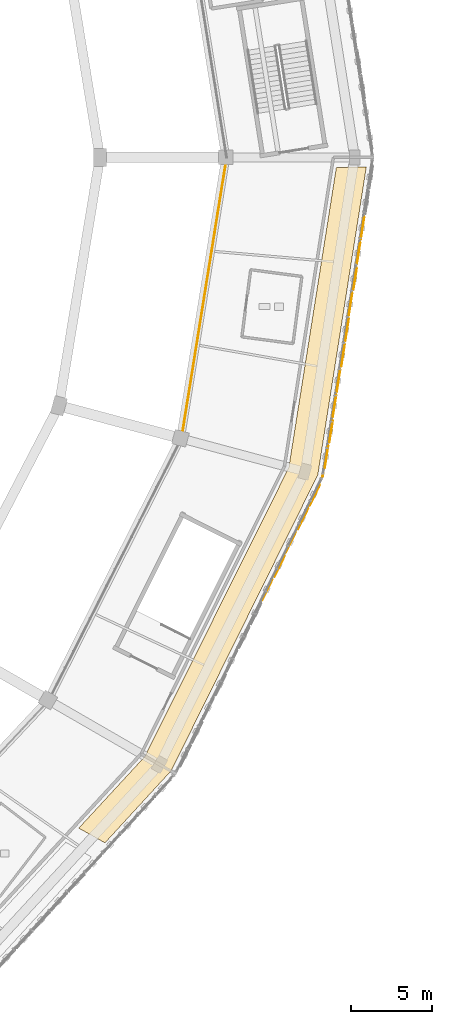
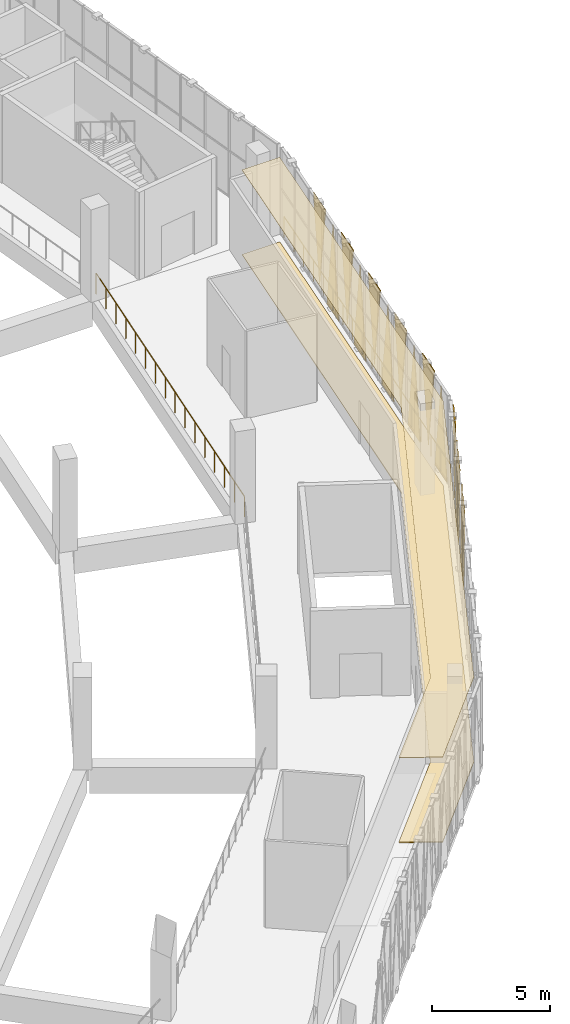
# One storey, part 95 of 108: 17 coverings, 2 railings.
"""IFC4 building model written with IfcOpenShell, lengths in metres."""

from ifc_helpers import new_model, si_unit, direction, frame, origin, origin_2d, place, context, subcontext, project, spatial, polyline, circle, outline, extrude, material, layer, layer_set, type_object, element, save


model = new_model("IFC4")

# Units and contexts
model_context = context("Model", 3, precision=1e-05, world=origin(), true_north=direction((0.0, 1.0)))
body_context = subcontext(model_context, "Body", "Model", "MODEL_VIEW")
ifc_project = project(units=[si_unit("LENGTHUNIT", "METRE"), si_unit("AREAUNIT", "SQUARE_METRE"), si_unit("VOLUMEUNIT", "CUBIC_METRE"), si_unit("PLANEANGLEUNIT", "RADIAN"), si_unit("MASSUNIT", "GRAM", prefix="KILO")], contexts=[model_context])

# Site, building, storey
site_placement = place(None, origin())
site = spatial("IfcSite", under=ifc_project, at=site_placement, CompositionType="ELEMENT")
building_placement = place(site_placement, origin())
building = spatial("IfcBuilding", under=site, at=building_placement, Name="Zevraka Park Crest Stadium", CompositionType="ELEMENT")
storey_placement = place(building_placement, frame((0.0, 0.0, 19.800048828125)))
storey = spatial("IfcBuildingStorey", under=building, at=storey_placement, Name="L04", CompositionType="ELEMENT", Elevation=19.800048828125)

# Coverings
ifc_material_1 = material(Name="Architectural golden-bronze perforated aluminium", Category="aluminium")
ifc_layer_1 = layer(ifc_material_1, 0.034912109375)
ifc_layer_set_1 = layer_set([ifc_layer_1], Name="Architectural golden-bronze perforated aluminium")
covering_type_1 = type_object("IfcCoveringType", Name="CLD01", PredefinedType="CLADDING", material=ifc_layer_set_1)
covering_1_placement = place(storey_placement, frame((197.23291015625, 65.843994140625, 4.52001953125), z_axis=(0.895905826712, -0.444244011589, 8.8489351e-05), x_axis=(-0.444244013329, -0.89590583022, 0.0)))
element("IfcCovering", 1, at=covering_1_placement, inside=storey, type_object=covering_type_1, Name="Triangular Golden-Bronze Perforated Cladding L04-22-8", PredefinedType="CLADDING", context=body_context, shape_type="SweptSolid", body=[
    extrude(outline(polyline([(0.0, 0.0), (1.48107563553828, -6.776263578034403e-21), (0.7410304062869341, 4.300048844960477), (0.0, 0.0)])), origin(), (0.0, 0.0, -1.0), 0.034912109375),
])
covering_2_placement = place(storey_placement, frame((197.303955078125, 65.987060546875, -0.219970703125), z_axis=(-0.896168173435, 0.443714545485, 8.3951629e-05), x_axis=(0.443714547049, 0.896168176593, 0.0)))
element("IfcCovering", 2, at=covering_2_placement, inside=storey, type_object=covering_type_1, Name="Triangular Golden-Bronze Perforated Cladding L04-22-9", PredefinedType="CLADDING", context=body_context, shape_type="SweptSolid", body=[
    extrude(outline(polyline([(0.0, 0.0), (1.480642061984624, 6.776263578034403e-21), (0.7409200394475148, -4.579834000514052), (0.0, 0.0)])), origin(), (0.0, 0.0, -1.0), 0.034912109375),
])
covering_3_placement = place(storey_placement, frame((198.68994140625, 68.783935546875, 4.52001953125), z_axis=(0.89577558819, -0.444506575248, 1.281068e-05), x_axis=(-0.444506575285, -0.895775588264, 0.0)))
element("IfcCovering", 3, at=covering_3_placement, inside=storey, type_object=covering_type_1, Name="Triangular Golden-Bronze Perforated Cladding L04-22-10", PredefinedType="CLADDING", context=body_context, shape_type="SweptSolid", body=[
    extrude(outline(polyline([(0.0, 0.0), (1.4802007910768735, -8.470329472543003e-22), (0.7399367868758943, 4.300048828477848), (0.0, 0.0)])), origin(), (0.0, 0.0, -1.0), 0.034912109375),
])
covering_4_placement = place(storey_placement, frame((198.760986328125, 68.927978515625, -0.219970703125), z_axis=(-0.89616816584, 0.443714541725, 0.000154911894), x_axis=(0.443714547049, 0.896168176593, 0.0)))
element("IfcCovering", 4, at=covering_4_placement, inside=storey, type_object=covering_type_1, Name="Triangular Golden-Bronze Perforated Cladding L04-22-11", PredefinedType="CLADDING", context=body_context, shape_type="SweptSolid", body=[
    extrude(outline(polyline([(0.0, 0.0), (1.480642061984624, 0.0), (0.7402636662712996, -4.579834039327731), (0.0, 0.0)])), origin(), (0.0, 0.0, -1.0), 0.034912109375),
])
covering_5_placement = place(storey_placement, frame((200.14697265625, 71.72509765625, 4.52001953125), z_axis=(-0.895938354376, 0.444178415203, 2.5003557e-05), x_axis=(-0.444178415342, -0.895938354656, 0.0)))
element("IfcCovering", 5, at=covering_5_placement, inside=storey, type_object=covering_type_1, Name="Triangular Golden-Bronze Perforated Cladding L04-22-12", PredefinedType="CLADDING", context=body_context, shape_type="SweptSolid", body=[
    extrude(outline(polyline([(0.0, 0.0), (1.4812943665181721, -1.6940658945086007e-21), (0.740155492361385, -4.300048829469149), (0.0, 0.0)])), origin(), (0.0, 0.0, -1.0), 0.034912109375),
])
covering_6_placement = place(storey_placement, frame((200.464111328125, 72.72412109375, -0.219970703125), z_axis=(0.98774778208, -0.156058703681, 1.369891e-06), x_axis=(0.156058703682, 0.987747782081, 0.0)))
element("IfcCovering", 6, at=covering_6_placement, inside=storey, type_object=covering_type_1, Name="Triangular Golden-Bronze Perforated Cladding L04-23-1", PredefinedType="CLADDING", context=body_context, shape_type="SweptSolid", body=[
    extrude(outline(polyline([(0.0, 0.0), (1.4345688375175898, 0.0), (0.7165419205414895, 4.579833984379299), (0.0, 0.0)])), origin(), (0.0, 0.0, -1.0), 0.034912109375),
])
covering_7_placement = place(storey_placement, frame((200.93603515625, 75.717041015625, 4.52001953125), z_axis=(-0.987842814257, 0.155455980067, 0.000112172011), x_axis=(-0.155455981045, -0.987842820472, 0.0)))
element("IfcCovering", 7, at=covering_7_placement, inside=storey, type_object=covering_type_1, Name="Triangular Golden-Bronze Perforated Cladding L04-23-2", PredefinedType="CLADDING", context=body_context, shape_type="SweptSolid", body=[
    extrude(outline(polyline([(0.0, 0.0), (1.435419401360921, 3.3881317890172014e-21), (0.7177856069212052, -4.3000488551778115), (0.0, 0.0)])), origin(), (0.0, 0.0, -1.0), 0.034912109375),
])
covering_8_placement = place(storey_placement, frame((200.9609375, 75.875, -0.219970703125), z_axis=(0.987842814993, -0.155455980183, 0.000105319347), x_axis=(0.155455981045, 0.987842820472, 0.0)))
element("IfcCovering", 8, at=covering_8_placement, inside=storey, type_object=covering_type_1, Name="Triangular Golden-Bronze Perforated Cladding L04-23-3", PredefinedType="CLADDING", context=body_context, shape_type="SweptSolid", body=[
    extrude(outline(polyline([(0.0, 0.0), (1.435419401360921, 0.0), (0.7176337944397156, 4.579834009775138), (0.0, 0.0)])), origin(), (0.0, 0.0, -1.0), 0.034912109375),
])
covering_9_placement = place(storey_placement, frame((201.431884765625, 78.868896484375, 4.52001953125), z_axis=(0.987868916505, -0.155290000132, 0.000140218719), x_axis=(-0.155290001659, -0.987868926217, 0.0)))
element("IfcCovering", 9, at=covering_9_placement, inside=storey, type_object=covering_type_1, Name="Triangular Golden-Bronze Perforated Cladding L04-23-4", PredefinedType="CLADDING", context=body_context, shape_type="SweptSolid", body=[
    extrude(outline(polyline([(0.0, 0.0), (1.4353814685014366, 0.0), (0.717595952755565, 4.300048870397252), (0.0, 0.0)])), origin(), (0.0, 0.0, -1.0), 0.034912109375),
])
covering_10_placement = place(storey_placement, frame((201.45703125, 79.027099609375, -0.219970703125), z_axis=(-0.987868917656, 0.155290000313, 0.000131652662), x_axis=(0.155290001659, 0.987868926217, 0.0)))
element("IfcCovering", 10, at=covering_10_placement, inside=storey, type_object=covering_type_1, Name="Triangular Golden-Bronze Perforated Cladding L04-23-5", PredefinedType="CLADDING", context=body_context, shape_type="SweptSolid", body=[
    extrude(outline(polyline([(0.0, 0.0), (1.4353814685014366, 3.3881317890172014e-21), (0.7177855157458715, -4.579834024064811), (0.0, 0.0)])), origin(), (0.0, 0.0, -1.0), 0.034912109375),
])
covering_11_placement = place(storey_placement, frame((201.928955078125, 82.02099609375, 4.52001953125), z_axis=(-0.987764343845, 0.155953840101, 2.8040775e-05), x_axis=(-0.155953840162, -0.987764344233, 0.0)))
element("IfcCovering", 11, at=covering_11_placement, inside=storey, type_object=covering_type_1, Name="Triangular Golden-Bronze Perforated Cladding L04-23-6", PredefinedType="CLADDING", context=body_context, shape_type="SweptSolid", body=[
    extrude(outline(polyline([(0.0, 0.0), (1.4355334430507345, -8.470329472543003e-22), (0.7177857588593715, -4.300048829815532), (0.0, 0.0)])), origin(), (0.0, 0.0, -1.0), 0.034912109375),
])
covering_12_placement = place(storey_placement, frame((201.952880859375, 82.178955078125, -0.219970703125), z_axis=(0.987738132508, -0.156119766812, 0.0), x_axis=(0.156119766812, 0.987738132508, 0.0)))
element("IfcCovering", 12, at=covering_12_placement, inside=storey, type_object=covering_type_1, Name="Triangular Golden-Bronze Perforated Cladding L04-23-7", PredefinedType="CLADDING", context=body_context, shape_type="SweptSolid", body=[
    extrude(outline(polyline([(0.0, 0.0), (1.4355715379737295, 0.0), (0.7177857689868647, 4.579833984375), (0.0, 0.0)])), origin(), (0.0, 0.0, -1.0), 0.034912109375),
])
covering_13_placement = place(storey_placement, frame((202.425048828125, 85.173095703125, 4.52001953125), z_axis=(-0.987846923047, 0.155429865324, 0.00011658484), x_axis=(-0.15542986638, -0.98784692976, 0.0)))
element("IfcCovering", 13, at=covering_13_placement, inside=storey, type_object=covering_type_1, Name="Triangular Golden-Bronze Perforated Cladding L04-23-8", PredefinedType="CLADDING", context=body_context, shape_type="SweptSolid", body=[
    extrude(outline(polyline([(0.0, 0.0), (1.435660574426177, 0.0), (0.7177855939191139, -4.300048857348186), (0.0, 0.0)])), origin(), (0.0, 0.0, -1.0), 0.034912109375),
])
covering_14_placement = place(storey_placement, frame((202.449951171875, 85.3310546875, -0.219970703125), z_axis=(0.987842814993, -0.155455980183, 0.000105319347), x_axis=(0.155455981045, 0.987842820472, 0.0)))
element("IfcCovering", 14, at=covering_14_placement, inside=storey, type_object=covering_type_1, Name="Triangular Golden-Bronze Perforated Cladding L04-23-9", PredefinedType="CLADDING", context=body_context, shape_type="SweptSolid", body=[
    extrude(outline(polyline([(0.0, 0.0), (1.435419401360921, 0.0), (0.7176337944397156, 4.579834009775138), (0.0, 0.0)])), origin(), (0.0, 0.0, -1.0), 0.034912109375),
])
covering_15_placement = place(storey_placement, frame((202.9208984375, 88.324951171875, 4.52001953125), z_axis=(0.987868916505, -0.155290000132, 0.000140218719), x_axis=(-0.155290001659, -0.987868926217, 0.0)))
element("IfcCovering", 15, at=covering_15_placement, inside=storey, type_object=covering_type_1, Name="Triangular Golden-Bronze Perforated Cladding L04-23-10", PredefinedType="CLADDING", context=body_context, shape_type="SweptSolid", body=[
    extrude(outline(polyline([(0.0, 0.0), (1.4353814685014366, 0.0), (0.717595952755565, 4.300048870397252), (0.0, 0.0)])), origin(), (0.0, 0.0, -1.0), 0.034912109375),
])
ifc_material_2 = material(Name="Perforated acoustic mineral-fibre suspended ceiling", Category="other")
ifc_layer_2 = layer(ifc_material_2, 0.02490234375)
ifc_layer_set_2 = layer_set([ifc_layer_2], Name="Perforated acoustic mineral-fibre suspended ceiling")
covering_type_2 = type_object("IfcCoveringType", Name="CLG01", PredefinedType="CEILING", material=ifc_layer_set_2)
covering_16_placement = place(storey_placement, frame((0.0, 0.0, 4.39990234375)))
element("IfcCovering", 16, at=covering_16_placement, inside=storey, type_object=covering_type_2, Name="Acoustic Ceiling Executive Club Lounge L04-040", PredefinedType="CEILING", context=body_context, shape_type="SweptSolid", body=[
    extrude(outline(polyline([(185.18701171875, 50.404052734375), (189.27490234375, 54.833984375), (189.287109375, 54.84912109375), (189.298095703125, 54.864013671875), (189.306884765625, 54.881103515625), (198.2041015625, 72.742919921875), (198.2119140625, 72.760986328125), (198.218017578125, 72.781005859375), (198.222900390625, 72.801025390625), (201.166015625, 91.386962890625), (203.02099609375, 91.39794921875), (200.012939453125, 72.31103515625), (190.923095703125, 53.966064453125), (186.81494140625, 49.491943359375), (185.18701171875, 50.404052734375)])), origin(), (0.0, 0.0, 1.0), 0.025146484375),
])
ifc_material_3 = material(Name="Honed terrazzo and slip-resistant sports flooring", Category="other")
ifc_layer_3 = layer(ifc_material_3, 0.0400390625)
ifc_layer_set_3 = layer_set([ifc_layer_3], Name="Honed terrazzo and slip-resistant sports flooring")
covering_type_3 = type_object("IfcCoveringType", Name="FLR01", PredefinedType="FLOORING", material=ifc_layer_set_3)
covering_17_placement = place(storey_placement, origin())
element("IfcCovering", 17, at=covering_17_placement, inside=storey, type_object=covering_type_3, Name="Terrazzo Floor Finish Executive Club Lounge L04-040", PredefinedType="FLOORING", context=body_context, shape_type="SweptSolid", body=[
    extrude(outline(polyline([(185.18701171875, 50.404052734375), (189.27490234375, 54.833984375), (189.287109375, 54.84912109375), (189.298095703125, 54.864013671875), (189.306884765625, 54.881103515625), (198.2041015625, 72.742919921875), (198.2119140625, 72.760986328125), (198.218017578125, 72.781005859375), (198.222900390625, 72.801025390625), (201.166015625, 91.386962890625), (203.02099609375, 91.39794921875), (200.012939453125, 72.31103515625), (190.923095703125, 53.966064453125), (186.81494140625, 49.491943359375), (185.18701171875, 50.404052734375)])), origin(), (0.0, 0.0, 1.0), 0.0400390625),
])

# Railings
ifc_material_4 = material(Name="Galvanised and bronze-finished steel balustrade", Category="steel")
railing_type = type_object("IfcRailingType", Name="GR01", PredefinedType="GUARDRAIL", material=ifc_material_4)
railing_1_placement = place(storey_placement, frame((203.3720703125, 91.639892578125, 0.0)))
element("IfcRailing", 18, at=railing_1_placement, inside=storey, type_object=railing_type, Name="Deck Edge Protection Guardrail GR01 L04-13", PredefinedType="GUARDRAIL", context=body_context, shape_type="SweptSolid", body=[
    extrude(circle(Radius=0.02392578125, at=origin_2d()), frame((0.0, 0.0, 1.076171875), z_axis=(-0.155514857369, -0.987833553357, 0.0), x_axis=(0.987833553357, -0.155514857369, 0.0)), (0.0, 0.0, 1.0), 19.658203125),
    extrude(circle(Radius=0.02099609375, at=origin_2d()), origin(), (0.0, 0.0, 1.0), 1.052001953125),
    extrude(circle(Radius=0.02099609375, at=origin_2d()), frame((-0.179931640625, -1.142333984375, 0.0)), (0.0, 0.0, 1.0), 1.052001953125),
    extrude(circle(Radius=0.02099609375, at=origin_2d()), frame((-0.359619140625, -2.28466796875, 0.0)), (0.0, 0.0, 1.0), 1.052001953125),
    extrude(circle(Radius=0.02099609375, at=origin_2d()), frame((-0.53955078125, -3.4267578125, 0.0)), (0.0, 0.0, 1.0), 1.052001953125),
    extrude(circle(Radius=0.02099609375, at=origin_2d()), frame((-0.71923828125, -4.569091796875, 0.0)), (0.0, 0.0, 1.0), 1.052001953125),
    extrude(circle(Radius=0.02099609375, at=origin_2d()), frame((-0.899169921875, -5.71142578125, 0.0)), (0.0, 0.0, 1.0), 1.052001953125),
    extrude(circle(Radius=0.02099609375, at=origin_2d()), frame((-1.0791015625, -6.853759765625, 0.0)), (0.0, 0.0, 1.0), 1.052001953125),
    extrude(circle(Radius=0.02099609375, at=origin_2d()), frame((-1.2587890625, -7.99609375, 0.0)), (0.0, 0.0, 1.0), 1.052001953125),
    extrude(circle(Radius=0.02099609375, at=origin_2d()), frame((-1.438720703125, -9.138427734375, 0.0)), (0.0, 0.0, 1.0), 1.052001953125),
    extrude(circle(Radius=0.02099609375, at=origin_2d()), frame((-1.618408203125, -10.280517578125, 0.0)), (0.0, 0.0, 1.0), 1.052001953125),
    extrude(circle(Radius=0.02099609375, at=origin_2d()), frame((-1.79833984375, -11.4228515625, 0.0)), (0.0, 0.0, 1.0), 1.052001953125),
    extrude(circle(Radius=0.02099609375, at=origin_2d()), frame((-1.97802734375, -12.565185546875, 0.0)), (0.0, 0.0, 1.0), 1.052001953125),
    extrude(circle(Radius=0.02099609375, at=origin_2d()), frame((-2.157958984375, -13.70751953125, 0.0)), (0.0, 0.0, 1.0), 1.052001953125),
    extrude(circle(Radius=0.02099609375, at=origin_2d()), frame((-2.337890625, -14.849853515625, 0.0)), (0.0, 0.0, 1.0), 1.052001953125),
    extrude(circle(Radius=0.02099609375, at=origin_2d()), frame((-2.517578125, -15.9921875, 0.0)), (0.0, 0.0, 1.0), 1.052001953125),
    extrude(circle(Radius=0.02099609375, at=origin_2d()), frame((-2.697509765625, -17.13427734375, 0.0)), (0.0, 0.0, 1.0), 1.052001953125),
    extrude(circle(Radius=0.02099609375, at=origin_2d()), frame((-2.877197265625, -18.276611328125, 0.0)), (0.0, 0.0, 1.0), 1.052001953125),
    extrude(circle(Radius=0.02099609375, at=origin_2d()), frame((-3.05712890625, -19.4189453125, 0.0)), (0.0, 0.0, 1.0), 1.052001953125),
])
railing_2_placement = place(storey_placement, frame((191.56494140625, 74.570068359375, 0.0)))
element("IfcRailing", 19, at=railing_2_placement, inside=storey, type_object=railing_type, Name="Deck Edge Protection Guardrail GR01 L04-34", PredefinedType="GUARDRAIL", context=body_context, shape_type="SweptSolid", body=[
    extrude(circle(Radius=0.02392578125, at=origin_2d()), frame((0.0, 0.0, 1.076171875), z_axis=(0.158854096548, 0.987302069283, 0.0), x_axis=(-0.987302069283, 0.158854096548, 0.0)), (0.0, 0.0, 1.0), 17.651123046875),
    extrude(circle(Radius=0.02099609375, at=origin_2d()), origin(), (0.0, 0.0, 1.0), 1.052001953125),
    extrude(circle(Radius=0.02099609375, at=origin_2d()), frame((0.18701171875, 1.161865234375, 0.0)), (0.0, 0.0, 1.0), 1.052001953125),
    extrude(circle(Radius=0.02099609375, at=origin_2d()), frame((0.373779296875, 2.323486328125, 0.0)), (0.0, 0.0, 1.0), 1.052001953125),
    extrude(circle(Radius=0.02099609375, at=origin_2d()), frame((0.560791015625, 3.4853515625, 0.0)), (0.0, 0.0, 1.0), 1.052001953125),
    extrude(circle(Radius=0.02099609375, at=origin_2d()), frame((0.747802734375, 4.647216796875, 0.0)), (0.0, 0.0, 1.0), 1.052001953125),
    extrude(circle(Radius=0.02099609375, at=origin_2d()), frame((0.9345703125, 5.80908203125, 0.0)), (0.0, 0.0, 1.0), 1.052001953125),
    extrude(circle(Radius=0.02099609375, at=origin_2d()), frame((1.12158203125, 6.970703125, 0.0)), (0.0, 0.0, 1.0), 1.052001953125),
    extrude(circle(Radius=0.02099609375, at=origin_2d()), frame((1.30859375, 8.132568359375, 0.0)), (0.0, 0.0, 1.0), 1.052001953125),
    extrude(circle(Radius=0.02099609375, at=origin_2d()), frame((1.495361328125, 9.29443359375, 0.0)), (0.0, 0.0, 1.0), 1.052001953125),
    extrude(circle(Radius=0.02099609375, at=origin_2d()), frame((1.682373046875, 10.456298828125, 0.0)), (0.0, 0.0, 1.0), 1.052001953125),
    extrude(circle(Radius=0.02099609375, at=origin_2d()), frame((1.869384765625, 11.617919921875, 0.0)), (0.0, 0.0, 1.0), 1.052001953125),
    extrude(circle(Radius=0.02099609375, at=origin_2d()), frame((2.05615234375, 12.77978515625, 0.0)), (0.0, 0.0, 1.0), 1.052001953125),
    extrude(circle(Radius=0.02099609375, at=origin_2d()), frame((2.2431640625, 13.941650390625, 0.0)), (0.0, 0.0, 1.0), 1.052001953125),
    extrude(circle(Radius=0.02099609375, at=origin_2d()), frame((2.43017578125, 15.103515625, 0.0)), (0.0, 0.0, 1.0), 1.052001953125),
    extrude(circle(Radius=0.02099609375, at=origin_2d()), frame((2.616943359375, 16.26513671875, 0.0)), (0.0, 0.0, 1.0), 1.052001953125),
    extrude(circle(Radius=0.02099609375, at=origin_2d()), frame((2.803955078125, 17.427001953125, 0.0)), (0.0, 0.0, 1.0), 1.052001953125),
])

save(model, "model.ifc")
